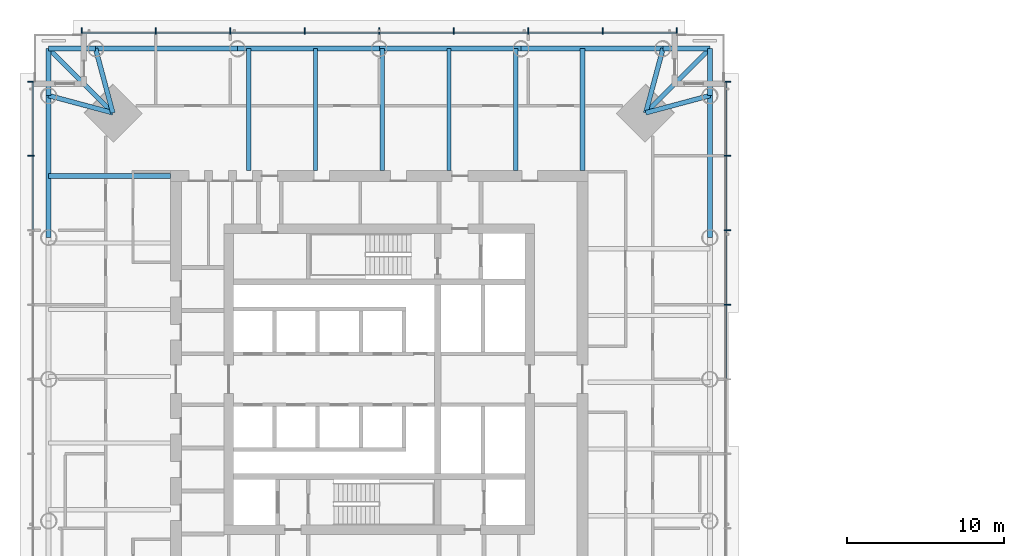
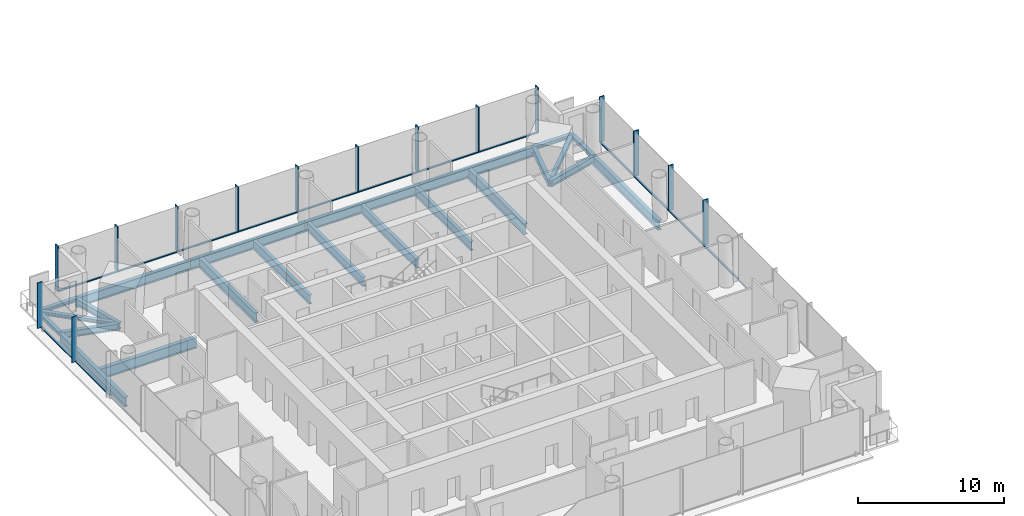
# One storey, part 3 of 27: 29 members, 23 beams, 3 elements without a shape of their own.
"""IFC4 building model written with IfcOpenShell, lengths in metres."""

from ifc_helpers import new_model, si_unit, direction, frame, origin, origin_2d, place, context, subcontext, project, spatial, rectangle, i_section, extrude, material, material_profile, profile_set, type_object, element, aggregate, save


model = new_model("IFC4")

# Units and contexts
model_context = context("Model", 3, precision=1e-05, world=origin(), true_north=direction((0.0, 1.0)))
body_context = subcontext(model_context, "Body", "Model", "MODEL_VIEW")
ifc_project = project(units=[si_unit("LENGTHUNIT", "METRE"), si_unit("AREAUNIT", "SQUARE_METRE"), si_unit("VOLUMEUNIT", "CUBIC_METRE"), si_unit("PLANEANGLEUNIT", "RADIAN"), si_unit("MASSUNIT", "GRAM", prefix="KILO")], contexts=[model_context])

# Site, building, storey
site_placement = place(None, origin())
site = spatial("IfcSite", under=ifc_project, at=site_placement, CompositionType="ELEMENT")
building_placement = place(site_placement, origin())
building = spatial("IfcBuilding", under=site, at=building_placement, Name="Ostroluk Exchange", CompositionType="ELEMENT")
storey_placement = place(building_placement, frame((0.0, 0.0, 112.199951171875)))
storey = spatial("IfcBuildingStorey", under=building, at=storey_placement, Name="L28", CompositionType="ELEMENT", Elevation=112.199951171875)

# Beams
ifc_material_1 = material(Name="Steel S355", Category="steel")
ifc_material_profile_1 = material_profile(ifc_material_1, i_section(OverallWidth=0.300048828125, OverallDepth=0.300048828125, WebThickness=0.010986328125, FlangeThickness=0.01904296875, FilletRadius=0.027099609375, at=origin_2d()), Name="HEB 300")
ifc_profile_set_1 = profile_set([ifc_material_profile_1], Name="Steel S355")
beam_type_1 = type_object("IfcBeamType", Name="Balcony beam HEB 300", PredefinedType="BEAM", material=ifc_profile_set_1)
for number, where, z_axis, x_axis, name in (
    (1, (66.085693359375, 64.085693359375, -0.329833984375), (0.0, 1.0, 0.0), (-1.0, 0.0, 0.0), "T1 east balcony beam a"),
    (2, (63.085693359375, 67.085693359375, -0.329833984375), (1.0, 0.0, 0.0), (0.0, 1.0, 0.0), "T1 east balcony beam b"),
):
    element("IfcBeam", number, at=place(storey_placement, frame(where, z_axis=z_axis, x_axis=x_axis)), inside=storey, type_object=beam_type_1, Name=name, PredefinedType="BEAM", context=body_context, shape_type="SweptSolid", body=[
        extrude(i_section(OverallWidth=0.300048828125, OverallDepth=0.300048828125, WebThickness=0.010986328125, FlangeThickness=0.01904296875, FilletRadius=0.027099609375, at=origin_2d()), origin(), (0.0, 0.0, 1.0), 3.0),
    ])
beam_1_placement = place(storey_placement, frame((61.985595703125, 62.985595703125, -0.329833984375), z_axis=(0.707106781187, 0.707106781187, 0.0), x_axis=(-0.707106781187, 0.707106781187, 0.0)))
element("IfcBeam", 3, at=beam_1_placement, inside=storey, type_object=beam_type_1, Name="T1 east balcony beam c", PredefinedType="BEAM", context=body_context, shape_type="SweptSolid", body=[
    extrude(i_section(OverallWidth=0.300048828125, OverallDepth=0.300048828125, WebThickness=0.010986328125, FlangeThickness=0.01904296875, FilletRadius=0.027099609375, at=origin_2d()), origin(), (0.0, 0.0, 1.0), 5.79833984375),
])
for number, where, z_axis, x_axis, name in (
    (4, (26.914306640625, 67.085693359375, -0.329833984375), (-1.0, 0.0, 0.0), (0.0, -1.0, 0.0), "T1 north balcony beam a"),
    (5, (23.914306640625, 64.085693359375, -0.329833984375), (0.0, 1.0, 0.0), (-1.0, 0.0, 0.0), "T1 north balcony beam b"),
):
    element("IfcBeam", number, at=place(storey_placement, frame(where, z_axis=z_axis, x_axis=x_axis)), inside=storey, type_object=beam_type_1, Name=name, PredefinedType="BEAM", context=body_context, shape_type="SweptSolid", body=[
        extrude(i_section(OverallWidth=0.300048828125, OverallDepth=0.300048828125, WebThickness=0.010986328125, FlangeThickness=0.01904296875, FilletRadius=0.027099609375, at=origin_2d()), origin(), (0.0, 0.0, 1.0), 3.0),
    ])
beam_2_placement = place(storey_placement, frame((28.014404296875, 62.985595703125, -0.329833984375), z_axis=(-0.707106781187, 0.707106781187, 0.0), x_axis=(-0.707106781187, -0.707106781187, 0.0)))
element("IfcBeam", 6, at=beam_2_placement, inside=storey, type_object=beam_type_1, Name="T1 north balcony beam c", PredefinedType="BEAM", context=body_context, shape_type="SweptSolid", body=[
    extrude(i_section(OverallWidth=0.300048828125, OverallDepth=0.300048828125, WebThickness=0.010986328125, FlangeThickness=0.01904296875, FilletRadius=0.027099609375, at=origin_2d()), origin(), (0.0, 0.0, 1.0), 5.79833984375),
])
ifc_material_2 = material(Name="Steel S355", Category="steel")
ifc_material_profile_2 = material_profile(ifc_material_2, i_section(OverallWidth=0.300048828125, OverallDepth=0.550048828125, WebThickness=0.014892578125, FlangeThickness=0.029052734375, FilletRadius=0.027099609375, at=origin_2d()), Name="HEB 550")
ifc_profile_set_2 = profile_set([ifc_material_profile_2], Name="Steel S355")
beam_type_2 = type_object("IfcBeamType", Name="Corner edge beam HEB 550", PredefinedType="SPANDREL", material=ifc_profile_set_2)
for number, where, z_axis, x_axis, name in (
    (7, (61.985595703125, 62.985595703125, -0.454833984375), (0.965838624319, 0.259144268261, 0.0), (-0.259144268261, 0.965838624319, 0.0), "T1 east corner edge beam a"),
    (8, (61.985595703125, 62.985595703125, -0.454833984375), (0.259144268261, 0.965838624319, 0.0), (-0.965838624319, 0.259144268261, 0.0), "T1 east corner edge beam b"),
    (9, (28.014404296875, 62.985595703125, -0.454833984375), (-0.259144268261, 0.965838624319, 0.0), (-0.965838624319, -0.259144268261, 0.0), "T1 north corner edge beam a"),
    (10, (28.014404296875, 62.985595703125, -0.454833984375), (-0.965838624319, 0.259144268261, 0.0), (-0.259144268261, -0.965838624319, 0.0), "T1 north corner edge beam b"),
):
    element("IfcBeam", number, at=place(storey_placement, frame(where, z_axis=z_axis, x_axis=x_axis)), inside=storey, type_object=beam_type_2, Name=name, PredefinedType="SPANDREL", context=body_context, shape_type="SweptSolid", body=[
        extrude(i_section(OverallWidth=0.300048828125, OverallDepth=0.550048828125, WebThickness=0.014892578125, FlangeThickness=0.029052734375, FilletRadius=0.027099609375, at=origin_2d()), origin(), (0.0, 0.0, 1.0), 4.2451171875),
    ])
ifc_material_3 = material(Name="Steel S355", Category="steel")
ifc_material_profile_3 = material_profile(ifc_material_3, i_section(OverallWidth=0.302978515625, OverallDepth=0.81396484375, WebThickness=0.02099609375, FlangeThickness=0.0400390625, FilletRadius=0.030029296875, at=origin_2d()), Name="HEM 800")
ifc_profile_set_3 = profile_set([ifc_material_profile_3], Name="Steel S355")
beam_type_3 = type_object("IfcBeamType", Name="Floor beam HEM 800", PredefinedType="BEAM", material=ifc_profile_set_3)
beam_3_placement = place(storey_placement, frame((36.677734375, 59.300048828125, -0.5869140625), z_axis=(0.0, 1.0, 0.0), x_axis=(-1.0, 0.0, 0.0)))
element("IfcBeam", 11, at=beam_3_placement, inside=storey, type_object=beam_type_3, Name="T1 north floor beam 5", PredefinedType="BEAM", context=body_context, shape_type="SweptSolid", body=[
    extrude(i_section(OverallWidth=0.302978515625, OverallDepth=0.81396484375, WebThickness=0.02099609375, FlangeThickness=0.0400390625, FilletRadius=0.030029296875, at=origin_2d()), origin(), (0.0, 0.0, 1.0), 7.78564453125),
])
ifc_material_4 = material(Name="Steel S355", Category="steel")
ifc_material_profile_4 = material_profile(ifc_material_4, i_section(OverallWidth=0.26708984375, OverallDepth=0.761962890625, WebThickness=0.014404296875, FlangeThickness=0.021484375, FilletRadius=0.01708984375, at=origin_2d()), Name="IPE 750x173")
ifc_profile_set_4 = profile_set([ifc_material_profile_4], Name="Steel S355")
beam_type_4 = type_object("IfcBeamType", Name="Floor beam IPE 750x173", PredefinedType="BEAM", material=ifc_profile_set_4)
for number, where, z_axis, x_axis, name in (
    (12, (53.695556640625, 59.300048828125, -0.56103515625), (0.0, 1.0, 0.0), (-1.0, 0.0, 0.0), "T1 north floor beam 1"),
    (13, (49.441162109375, 59.300048828125, -0.56103515625), (0.0, 1.0, 0.0), (-1.0, 0.0, 0.0), "T1 north floor beam 2"),
    (14, (45.1865234375, 59.300048828125, -0.56103515625), (0.0, 1.0, 0.0), (-1.0, 0.0, 0.0), "T1 north floor beam 3"),
    (15, (40.93212890625, 59.300048828125, -0.56103515625), (0.0, 1.0, 0.0), (-1.0, 0.0, 0.0), "T1 north floor beam 4"),
):
    element("IfcBeam", number, at=place(storey_placement, frame(where, z_axis=z_axis, x_axis=x_axis)), inside=storey, type_object=beam_type_4, Name=name, PredefinedType="BEAM", context=body_context, shape_type="SweptSolid", body=[
        extrude(i_section(OverallWidth=0.26708984375, OverallDepth=0.761962890625, WebThickness=0.014404296875, FlangeThickness=0.021484375, FilletRadius=0.01708984375, at=origin_2d()), origin(), (0.0, 0.0, 1.0), 7.78564453125),
    ])
ifc_material_5 = material(Name="Steel S355", Category="steel")
ifc_material_profile_5 = material_profile(ifc_material_5, i_section(OverallWidth=0.300048828125, OverallDepth=0.89990234375, WebThickness=0.0185546875, FlangeThickness=0.034912109375, FilletRadius=0.030029296875, at=origin_2d()), Name="HEB 900")
ifc_profile_set_5 = profile_set([ifc_material_profile_5], Name="Steel S355")
beam_type_5 = type_object("IfcBeamType", Name="Girder HEB 900", PredefinedType="BEAM", material=ifc_profile_set_5)
for number, where, z_axis, x_axis, name in (
    (16, (57.949951171875, 59.300048828125, -0.6298828125), (0.0, 1.0, 0.0), (-1.0, 0.0, 0.0), "T1 east girder"),
    (17, (31.699951171875, 58.949951171875, -0.6298828125), (-1.0, 0.0, 0.0), (0.0, -1.0, 0.0), "T1 north girder"),
):
    element("IfcBeam", number, at=place(storey_placement, frame(where, z_axis=z_axis, x_axis=x_axis)), inside=storey, type_object=beam_type_5, Name=name, PredefinedType="BEAM", context=body_context, shape_type="SweptSolid", body=[
        extrude(i_section(OverallWidth=0.300048828125, OverallDepth=0.89990234375, WebThickness=0.0185546875, FlangeThickness=0.034912109375, FilletRadius=0.030029296875, at=origin_2d()), origin(), (0.0, 0.0, 1.0), 7.78564453125),
    ])
ifc_material_6 = material(Name="Steel S355", Category="steel")
ifc_material_profile_6 = material_profile(ifc_material_6, i_section(OverallWidth=0.300048828125, OverallDepth=0.800048828125, WebThickness=0.017578125, FlangeThickness=0.032958984375, FilletRadius=0.030029296875, at=origin_2d()), Name="HEB 800")
ifc_profile_set_6 = profile_set([ifc_material_profile_6], Name="Steel S355")
beam_type_6 = type_object("IfcBeamType", Name="Moment-connected edge beam HEB 800", PredefinedType="SPANDREL", material=ifc_profile_set_6)
for number, where, z_axis, x_axis, name in (
    (18, (66.085693359375, 55.04296875, -0.579833984375), (0.0, 1.0, 0.0), (-1.0, 0.0, 0.0), "T1 east edge beam 4"),
    (19, (63.085693359375, 67.085693359375, -0.579833984375), (-1.0, 0.0, 0.0), (0.0, -1.0, 0.0), "T1 north edge beam 1"),
):
    element("IfcBeam", number, at=place(storey_placement, frame(where, z_axis=z_axis, x_axis=x_axis)), inside=storey, type_object=beam_type_6, Name=name, PredefinedType="SPANDREL", context=body_context, shape_type="SweptSolid", body=[
        extrude(i_section(OverallWidth=0.300048828125, OverallDepth=0.800048828125, WebThickness=0.017578125, FlangeThickness=0.032958984375, FilletRadius=0.030029296875, at=origin_2d()), origin(), (0.0, 0.0, 1.0), 9.042724609375),
    ])
for number, where, z_axis, x_axis, name in (
    (20, (54.04296875, 67.085693359375, -0.579833984375), (-1.0, 0.0, 0.0), (0.0, -1.0, 0.0), "T1 north edge beam 2"),
    (21, (45.0, 67.085693359375, -0.579833984375), (-1.0, 0.0, 0.0), (0.0, -1.0, 0.0), "T1 north edge beam 3"),
):
    element("IfcBeam", number, at=place(storey_placement, frame(where, z_axis=z_axis, x_axis=x_axis)), inside=storey, type_object=beam_type_6, Name=name, PredefinedType="SPANDREL", context=body_context, shape_type="SweptSolid", body=[
        extrude(i_section(OverallWidth=0.300048828125, OverallDepth=0.800048828125, WebThickness=0.017578125, FlangeThickness=0.032958984375, FilletRadius=0.030029296875, at=origin_2d()), origin(), (0.0, 0.0, 1.0), 9.04296875),
    ])
for number, where, z_axis, x_axis, name in (
    (22, (35.95703125, 67.085693359375, -0.579833984375), (-1.0, 0.0, 0.0), (0.0, -1.0, 0.0), "T1 north edge beam 4"),
    (23, (23.914306640625, 64.085693359375, -0.579833984375), (0.0, -1.0, 0.0), (1.0, 0.0, 0.0), "T1 west edge beam 1"),
):
    element("IfcBeam", number, at=place(storey_placement, frame(where, z_axis=z_axis, x_axis=x_axis)), inside=storey, type_object=beam_type_6, Name=name, PredefinedType="SPANDREL", context=body_context, shape_type="SweptSolid", body=[
        extrude(i_section(OverallWidth=0.300048828125, OverallDepth=0.800048828125, WebThickness=0.017578125, FlangeThickness=0.032958984375, FilletRadius=0.030029296875, at=origin_2d()), origin(), (0.0, 0.0, 1.0), 9.042724609375),
    ])

# Curtain wall, members
ifc_material_7 = material(Name="Laminated clear glass", Category="glass")
curtain_wall_type = type_object("IfcCurtainWallType", Name="Office tower facade", PredefinedType="USERDEFINED", material=ifc_material_7)
curtain_wall_1_placement = place(storey_placement, origin())
curtain_wall_1 = element("IfcCurtainWall", 24, at=curtain_wall_1_placement, inside=storey, type_object=curtain_wall_type, Name="Office tower east facade L28", ObjectType="UNITISED CURTAIN WALL", PredefinedType="USERDEFINED")
ifc_material_8 = material(Name="Aluminium mullion", Category="aluminium")
ifc_material_profile_7 = material_profile(ifc_material_8, rectangle(XDim=0.14990234375, YDim=0.080078125, at=origin_2d()), Name="Sill transom 80 x 150")
ifc_profile_set_7 = profile_set([ifc_material_profile_7], Name="Aluminium mullion")
member_type_1 = type_object("IfcMemberType", Name="Sill transom 80 x 150", PredefinedType="USERDEFINED", material=ifc_profile_set_7)
member_1_placement = place(storey_placement, frame((67.074951171875, 46.0400390625, 0.0400390625), z_axis=(0.0, 1.0, 0.0), x_axis=(-1.0, 0.0, 0.0)))
member_1 = element("IfcMember", 25, at=member_1_placement, type_object=member_type_1, Name="CW-O1 transom 5.1", ObjectType="TRANSOM", PredefinedType="USERDEFINED", context=body_context, shape_type="SweptSolid", body=[
    extrude(rectangle(XDim=0.14990234375, YDim=0.080078125, at=origin_2d()), origin(), (0.0, 0.0, 1.0), 4.669921875),
])
member_2_placement = place(storey_placement, frame((67.074951171875, 50.7900390625, 0.0400390625), z_axis=(0.0, 1.0, 0.0), x_axis=(-1.0, 0.0, 0.0)))
member_2 = element("IfcMember", 26, at=member_2_placement, type_object=member_type_1, Name="CW-O1 transom 6.1", ObjectType="TRANSOM", PredefinedType="USERDEFINED", context=body_context, shape_type="SweptSolid", body=[
    extrude(rectangle(XDim=0.14990234375, YDim=0.080078125, at=origin_2d()), origin(), (0.0, 0.0, 1.0), 4.669921875),
])
member_3_placement = place(storey_placement, frame((67.074951171875, 55.5400390625, 0.0400390625), z_axis=(0.0, 1.0, 0.0), x_axis=(-1.0, 0.0, 0.0)))
member_3 = element("IfcMember", 27, at=member_3_placement, type_object=member_type_1, Name="CW-O1 transom 7.1", ObjectType="TRANSOM", PredefinedType="USERDEFINED", context=body_context, shape_type="SweptSolid", body=[
    extrude(rectangle(XDim=0.14990234375, YDim=0.080078125, at=origin_2d()), origin(), (0.0, 0.0, 1.0), 4.669921875),
])
member_4_placement = place(storey_placement, frame((67.074951171875, 60.2900390625, 0.0400390625), z_axis=(0.0, 1.0, 0.0), x_axis=(-1.0, 0.0, 0.0)))
member_4 = element("IfcMember", 28, at=member_4_placement, type_object=member_type_1, Name="CW-O1 transom 8.1", ObjectType="TRANSOM", PredefinedType="USERDEFINED", context=body_context, shape_type="SweptSolid", body=[
    extrude(rectangle(XDim=0.14990234375, YDim=0.080078125, at=origin_2d()), origin(), (0.0, 0.0, 1.0), 4.6298828125),
])

curtain_wall_2_placement = place(storey_placement, origin())
curtain_wall_2 = element("IfcCurtainWall", 29, at=curtain_wall_2_placement, inside=storey, type_object=curtain_wall_type, Name="Office tower north facade L28", ObjectType="UNITISED CURTAIN WALL", PredefinedType="USERDEFINED")
member_5_placement = place(storey_placement, frame((63.919921875, 68.074951171875, 0.0400390625), z_axis=(-1.0, 0.0, 0.0), x_axis=(0.0, -1.0, 0.0)))
member_5 = element("IfcMember", 30, at=member_5_placement, type_object=member_type_1, Name="CW-O1 transom 1.1", ObjectType="TRANSOM", PredefinedType="USERDEFINED", context=body_context, shape_type="SweptSolid", body=[
    extrude(rectangle(XDim=0.14990234375, YDim=0.080078125, at=origin_2d()), origin(), (0.0, 0.0, 1.0), 4.6298828125),
])
member_6_placement = place(storey_placement, frame((59.2099609375, 68.074951171875, 0.0400390625), z_axis=(-1.0, 0.0, 0.0), x_axis=(0.0, -1.0, 0.0)))
member_6 = element("IfcMember", 31, at=member_6_placement, type_object=member_type_1, Name="CW-O1 transom 2.1", ObjectType="TRANSOM", PredefinedType="USERDEFINED", context=body_context, shape_type="SweptSolid", body=[
    extrude(rectangle(XDim=0.14990234375, YDim=0.080078125, at=origin_2d()), origin(), (0.0, 0.0, 1.0), 4.669921875),
])
member_7_placement = place(storey_placement, frame((54.4599609375, 68.074951171875, 0.0400390625), z_axis=(-1.0, 0.0, 0.0), x_axis=(0.0, -1.0, 0.0)))
member_7 = element("IfcMember", 32, at=member_7_placement, type_object=member_type_1, Name="CW-O1 transom 3.1", ObjectType="TRANSOM", PredefinedType="USERDEFINED", context=body_context, shape_type="SweptSolid", body=[
    extrude(rectangle(XDim=0.14990234375, YDim=0.080078125, at=origin_2d()), origin(), (0.0, 0.0, 1.0), 4.669921875),
])
member_8_placement = place(storey_placement, frame((49.7099609375, 68.074951171875, 0.0400390625), z_axis=(-1.0, 0.0, 0.0), x_axis=(0.0, -1.0, 0.0)))
member_8 = element("IfcMember", 33, at=member_8_placement, type_object=member_type_1, Name="CW-O1 transom 4.1", ObjectType="TRANSOM", PredefinedType="USERDEFINED", context=body_context, shape_type="SweptSolid", body=[
    extrude(rectangle(XDim=0.14990234375, YDim=0.080078125, at=origin_2d()), origin(), (0.0, 0.0, 1.0), 4.669921875),
])
member_9_placement = place(storey_placement, frame((44.9599609375, 68.074951171875, 0.0400390625), z_axis=(-1.0, 0.0, 0.0), x_axis=(0.0, -1.0, 0.0)))
member_9 = element("IfcMember", 34, at=member_9_placement, type_object=member_type_1, Name="CW-O1 transom 5.1", ObjectType="TRANSOM", PredefinedType="USERDEFINED", context=body_context, shape_type="SweptSolid", body=[
    extrude(rectangle(XDim=0.14990234375, YDim=0.080078125, at=origin_2d()), origin(), (0.0, 0.0, 1.0), 4.669921875),
])
member_10_placement = place(storey_placement, frame((40.2099609375, 68.074951171875, 0.0400390625), z_axis=(-1.0, 0.0, 0.0), x_axis=(0.0, -1.0, 0.0)))
member_10 = element("IfcMember", 35, at=member_10_placement, type_object=member_type_1, Name="CW-O1 transom 6.1", ObjectType="TRANSOM", PredefinedType="USERDEFINED", context=body_context, shape_type="SweptSolid", body=[
    extrude(rectangle(XDim=0.14990234375, YDim=0.080078125, at=origin_2d()), origin(), (0.0, 0.0, 1.0), 4.669921875),
])
member_11_placement = place(storey_placement, frame((35.4599609375, 68.074951171875, 0.0400390625), z_axis=(-1.0, 0.0, 0.0), x_axis=(0.0, -1.0, 0.0)))
member_11 = element("IfcMember", 36, at=member_11_placement, type_object=member_type_1, Name="CW-O1 transom 7.1", ObjectType="TRANSOM", PredefinedType="USERDEFINED", context=body_context, shape_type="SweptSolid", body=[
    extrude(rectangle(XDim=0.14990234375, YDim=0.080078125, at=origin_2d()), origin(), (0.0, 0.0, 1.0), 4.669921875),
])
member_12_placement = place(storey_placement, frame((30.7099609375, 68.074951171875, 0.0400390625), z_axis=(-1.0, 0.0, 0.0), x_axis=(0.0, -1.0, 0.0)))
member_12 = element("IfcMember", 37, at=member_12_placement, type_object=member_type_1, Name="CW-O1 transom 8.1", ObjectType="TRANSOM", PredefinedType="USERDEFINED", context=body_context, shape_type="SweptSolid", body=[
    extrude(rectangle(XDim=0.14990234375, YDim=0.080078125, at=origin_2d()), origin(), (0.0, 0.0, 1.0), 4.6298828125),
])

curtain_wall_3_placement = place(storey_placement, origin())
curtain_wall_3 = element("IfcCurtainWall", 38, at=curtain_wall_3_placement, inside=storey, type_object=curtain_wall_type, Name="Office tower west facade L28", ObjectType="UNITISED CURTAIN WALL", PredefinedType="USERDEFINED")
member_13_placement = place(storey_placement, frame((22.925048828125, 64.919921875, 0.0400390625), z_axis=(0.0, -1.0, 0.0), x_axis=(1.0, 0.0, 0.0)))
member_13 = element("IfcMember", 39, at=member_13_placement, type_object=member_type_1, Name="CW-O1 transom 1.1", ObjectType="TRANSOM", PredefinedType="USERDEFINED", context=body_context, shape_type="SweptSolid", body=[
    extrude(rectangle(XDim=0.14990234375, YDim=0.080078125, at=origin_2d()), origin(), (0.0, 0.0, 1.0), 4.6298828125),
])
member_14_placement = place(storey_placement, frame((22.925048828125, 60.2099609375, 0.0400390625), z_axis=(0.0, -1.0, 0.0), x_axis=(1.0, 0.0, 0.0)))
member_14 = element("IfcMember", 40, at=member_14_placement, type_object=member_type_1, Name="CW-O1 transom 2.1", ObjectType="TRANSOM", PredefinedType="USERDEFINED", context=body_context, shape_type="SweptSolid", body=[
    extrude(rectangle(XDim=0.14990234375, YDim=0.080078125, at=origin_2d()), origin(), (0.0, 0.0, 1.0), 4.669921875),
])

# Member
ifc_material_9 = material(Name="Aluminium mullion with limestone facing", Category="masonry")
ifc_material_profile_8 = material_profile(ifc_material_9, rectangle(XDim=0.39990234375, YDim=0.080078125, at=origin_2d()), Name="Tracery mullion 80 x 400")
ifc_profile_set_8 = profile_set([ifc_material_profile_8], Name="Aluminium mullion with limestone facing")
member_type_2 = type_object("IfcMemberType", Name="Tracery mullion 80 x 400", PredefinedType="MULLION", material=ifc_profile_set_8)
member_15_placement = place(storey_placement, frame((67.199951171875, 50.75, 0.0), z_axis=(0.0, 0.0, 1.0), x_axis=(-1.0, 0.0, 0.0)))
member_15 = element("IfcMember", 41, at=member_15_placement, type_object=member_type_2, Name="CW-O1 mullion 6", PredefinedType="MULLION", context=body_context, shape_type="SweptSolid", body=[
    extrude(rectangle(XDim=0.39990234375, YDim=0.080078125, at=origin_2d()), origin(), (0.0, 0.0, 1.0), 3.800048828125),
])

member_16_placement = place(storey_placement, frame((67.199951171875, 55.5, 0.0), z_axis=(0.0, 0.0, 1.0), x_axis=(-1.0, 0.0, 0.0)))
member_16 = element("IfcMember", 42, at=member_16_placement, type_object=member_type_2, Name="CW-O1 mullion 7", PredefinedType="MULLION", context=body_context, shape_type="SweptSolid", body=[
    extrude(rectangle(XDim=0.39990234375, YDim=0.080078125, at=origin_2d()), origin(), (0.0, 0.0, 1.0), 3.800048828125),
])

member_17_placement = place(storey_placement, frame((67.199951171875, 60.25, 0.0), z_axis=(0.0, 0.0, 1.0), x_axis=(-1.0, 0.0, 0.0)))
member_17 = element("IfcMember", 43, at=member_17_placement, type_object=member_type_2, Name="CW-O1 mullion 8", PredefinedType="MULLION", context=body_context, shape_type="SweptSolid", body=[
    extrude(rectangle(XDim=0.39990234375, YDim=0.080078125, at=origin_2d()), origin(), (0.0, 0.0, 1.0), 3.800048828125),
])

member_18_placement = place(storey_placement, frame((67.199951171875, 64.9599609375, 0.0), z_axis=(0.0, 0.0, 1.0), x_axis=(-1.0, 0.0, 0.0)))
member_18 = element("IfcMember", 44, at=member_18_placement, type_object=member_type_2, Name="CW-O1 mullion 9", PredefinedType="MULLION", context=body_context, shape_type="SweptSolid", body=[
    extrude(rectangle(XDim=0.39990234375, YDim=0.080078125, at=origin_2d()), origin(), (0.0, 0.0, 1.0), 3.800048828125),
])

aggregate(curtain_wall_1, [member_15, member_16, member_17, member_18, member_1, member_2, member_3, member_4])

member_19_placement = place(storey_placement, frame((63.9599609375, 68.199951171875, 0.0), z_axis=(0.0, 0.0, 1.0), x_axis=(0.0, -1.0, 0.0)))
member_19 = element("IfcMember", 45, at=member_19_placement, type_object=member_type_2, Name="CW-O1 mullion 1", PredefinedType="MULLION", context=body_context, shape_type="SweptSolid", body=[
    extrude(rectangle(XDim=0.39990234375, YDim=0.080078125, at=origin_2d()), origin(), (0.0, 0.0, 1.0), 3.800048828125),
])

member_20_placement = place(storey_placement, frame((59.25, 68.199951171875, 0.0), z_axis=(0.0, 0.0, 1.0), x_axis=(0.0, -1.0, 0.0)))
member_20 = element("IfcMember", 46, at=member_20_placement, type_object=member_type_2, Name="CW-O1 mullion 2", PredefinedType="MULLION", context=body_context, shape_type="SweptSolid", body=[
    extrude(rectangle(XDim=0.39990234375, YDim=0.080078125, at=origin_2d()), origin(), (0.0, 0.0, 1.0), 3.800048828125),
])

member_21_placement = place(storey_placement, frame((54.5, 68.199951171875, 0.0), z_axis=(0.0, 0.0, 1.0), x_axis=(0.0, -1.0, 0.0)))
member_21 = element("IfcMember", 47, at=member_21_placement, type_object=member_type_2, Name="CW-O1 mullion 3", PredefinedType="MULLION", context=body_context, shape_type="SweptSolid", body=[
    extrude(rectangle(XDim=0.39990234375, YDim=0.080078125, at=origin_2d()), origin(), (0.0, 0.0, 1.0), 3.800048828125),
])

member_22_placement = place(storey_placement, frame((49.75, 68.199951171875, 0.0), z_axis=(0.0, 0.0, 1.0), x_axis=(0.0, -1.0, 0.0)))
member_22 = element("IfcMember", 48, at=member_22_placement, type_object=member_type_2, Name="CW-O1 mullion 4", PredefinedType="MULLION", context=body_context, shape_type="SweptSolid", body=[
    extrude(rectangle(XDim=0.39990234375, YDim=0.080078125, at=origin_2d()), origin(), (0.0, 0.0, 1.0), 3.800048828125),
])

member_23_placement = place(storey_placement, frame((45.0, 68.199951171875, 0.0), z_axis=(0.0, 0.0, 1.0), x_axis=(0.0, -1.0, 0.0)))
member_23 = element("IfcMember", 49, at=member_23_placement, type_object=member_type_2, Name="CW-O1 mullion 5", PredefinedType="MULLION", context=body_context, shape_type="SweptSolid", body=[
    extrude(rectangle(XDim=0.39990234375, YDim=0.080078125, at=origin_2d()), origin(), (0.0, 0.0, 1.0), 3.800048828125),
])

member_24_placement = place(storey_placement, frame((40.25, 68.199951171875, 0.0), z_axis=(0.0, 0.0, 1.0), x_axis=(0.0, -1.0, 0.0)))
member_24 = element("IfcMember", 50, at=member_24_placement, type_object=member_type_2, Name="CW-O1 mullion 6", PredefinedType="MULLION", context=body_context, shape_type="SweptSolid", body=[
    extrude(rectangle(XDim=0.39990234375, YDim=0.080078125, at=origin_2d()), origin(), (0.0, 0.0, 1.0), 3.800048828125),
])

member_25_placement = place(storey_placement, frame((35.5, 68.199951171875, 0.0), z_axis=(0.0, 0.0, 1.0), x_axis=(0.0, -1.0, 0.0)))
member_25 = element("IfcMember", 51, at=member_25_placement, type_object=member_type_2, Name="CW-O1 mullion 7", PredefinedType="MULLION", context=body_context, shape_type="SweptSolid", body=[
    extrude(rectangle(XDim=0.39990234375, YDim=0.080078125, at=origin_2d()), origin(), (0.0, 0.0, 1.0), 3.800048828125),
])

member_26_placement = place(storey_placement, frame((30.75, 68.199951171875, 0.0), z_axis=(0.0, 0.0, 1.0), x_axis=(0.0, -1.0, 0.0)))
member_26 = element("IfcMember", 52, at=member_26_placement, type_object=member_type_2, Name="CW-O1 mullion 8", PredefinedType="MULLION", context=body_context, shape_type="SweptSolid", body=[
    extrude(rectangle(XDim=0.39990234375, YDim=0.080078125, at=origin_2d()), origin(), (0.0, 0.0, 1.0), 3.800048828125),
])

member_27_placement = place(storey_placement, frame((26.0400390625, 68.199951171875, 0.0), z_axis=(0.0, 0.0, 1.0), x_axis=(0.0, -1.0, 0.0)))
member_27 = element("IfcMember", 53, at=member_27_placement, type_object=member_type_2, Name="CW-O1 mullion 9", PredefinedType="MULLION", context=body_context, shape_type="SweptSolid", body=[
    extrude(rectangle(XDim=0.39990234375, YDim=0.080078125, at=origin_2d()), origin(), (0.0, 0.0, 1.0), 3.800048828125),
])

aggregate(curtain_wall_2, [member_19, member_20, member_21, member_22, member_23, member_24, member_25, member_26, member_27, member_5, member_6, member_7, member_8, member_9, member_10, member_11, member_12])

member_28_placement = place(storey_placement, frame((22.800048828125, 64.9599609375, 0.0), z_axis=(0.0, 0.0, 1.0), x_axis=(1.0, 0.0, 0.0)))
member_28 = element("IfcMember", 54, at=member_28_placement, type_object=member_type_2, Name="CW-O1 mullion 1", PredefinedType="MULLION", context=body_context, shape_type="SweptSolid", body=[
    extrude(rectangle(XDim=0.39990234375, YDim=0.080078125, at=origin_2d()), origin(), (0.0, 0.0, 1.0), 3.800048828125),
])

member_29_placement = place(storey_placement, frame((22.800048828125, 60.25, 0.0), z_axis=(0.0, 0.0, 1.0), x_axis=(1.0, 0.0, 0.0)))
member_29 = element("IfcMember", 55, at=member_29_placement, type_object=member_type_2, Name="CW-O1 mullion 2", PredefinedType="MULLION", context=body_context, shape_type="SweptSolid", body=[
    extrude(rectangle(XDim=0.39990234375, YDim=0.080078125, at=origin_2d()), origin(), (0.0, 0.0, 1.0), 3.800048828125),
])

aggregate(curtain_wall_3, [member_28, member_29, member_13, member_14])

save(model, "model.ifc")
